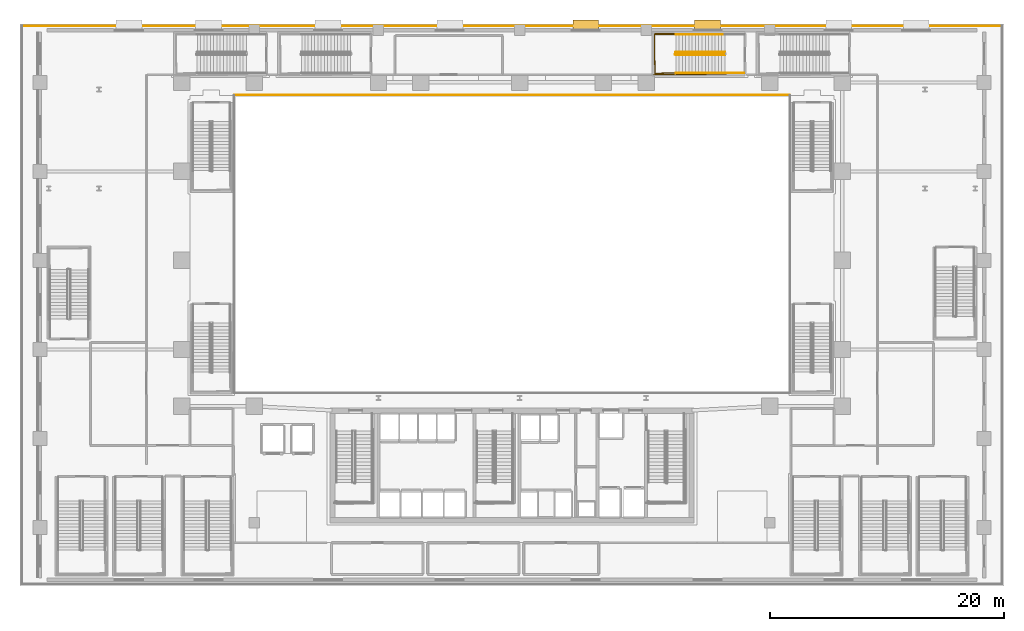
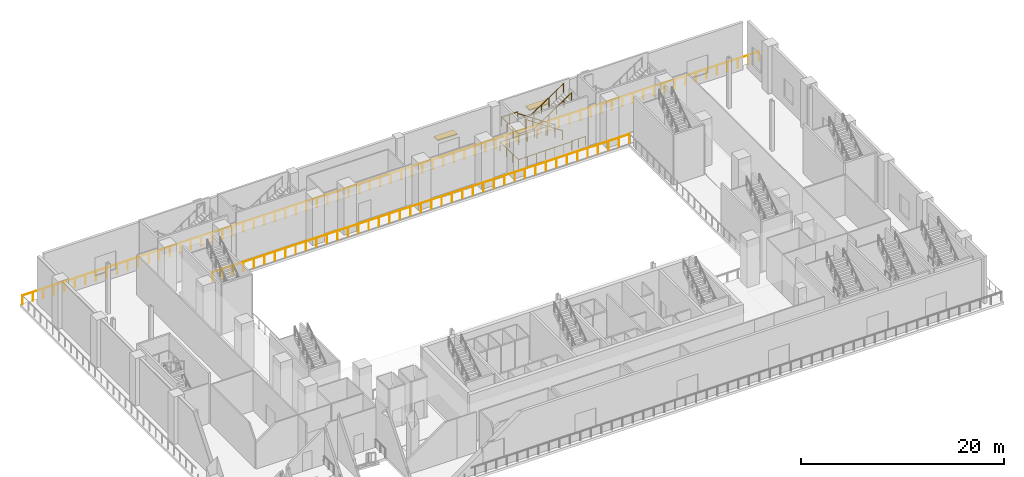
# One storey, part 23 of 29: 9 railings, 2 shading devices.
"""IFC4 building model written with IfcOpenShell, lengths in metres."""

from ifc_helpers import new_model, si_unit, direction, frame, origin, origin_2d, place, context, subcontext, project, spatial, rectangle, circle, extrude, material, layer, layer_set, type_object, element, save


model = new_model("IFC4")

# Units and contexts
model_context = context("Model", 3, precision=1e-05, world=origin(), true_north=direction((0.0, 1.0)))
body_context = subcontext(model_context, "Body", "Model", "MODEL_VIEW")
ifc_project = project(units=[si_unit("LENGTHUNIT", "METRE"), si_unit("AREAUNIT", "SQUARE_METRE"), si_unit("VOLUMEUNIT", "CUBIC_METRE"), si_unit("PLANEANGLEUNIT", "RADIAN"), si_unit("MASSUNIT", "GRAM", prefix="KILO")], contexts=[model_context])

# Site, building, storey
site_placement = place(None, origin())
site = spatial("IfcSite", under=ifc_project, at=site_placement, CompositionType="ELEMENT")
building_placement = place(site_placement, origin())
building = spatial("IfcBuilding", under=site, at=building_placement, Name="Ndaravel Arena Tower", CompositionType="ELEMENT")
storey_placement = place(building_placement, frame((0.0, 0.0, 12.0)))
storey = spatial("IfcBuildingStorey", under=building, at=storey_placement, Name="L02", CompositionType="ELEMENT", Elevation=12.0)

# Railings
ifc_material_1 = material(Name="Steel S355", Category="steel")
ifc_layer_1 = layer(ifc_material_1, 0.06005859375)
ifc_layer_set_1 = layer_set([ifc_layer_1], Name="Steel S355")
railing_type_1 = type_object("IfcRailingType", Name="RAIL-STAIR-GD1100", PredefinedType="GUARDRAIL", material=ifc_layer_set_1)
railing_1_placement = place(storey_placement, frame((60.179931640625, 45.570068359375, 0.1875)))
element("IfcRailing", 1, at=railing_1_placement, inside=storey, type_object=railing_type_1, Name="L02 ST-A10 stair guard 1", PredefinedType="GUARDRAIL", context=body_context, shape_type="SweptSolid", body=[
    extrude(circle(Radius=0.02392578125, at=origin_2d()), frame((0.0, 0.0, 1.076171875), z_axis=(-0.830904186295, 0.0, 0.556415522067), x_axis=(0.0, -1.0, 0.0)), (0.0, 0.0, 1.0), 5.0546875),
    extrude(circle(Radius=0.02392578125, at=origin_2d()), frame((-4.199951171875, 0.0, 3.888671875), z_axis=(-0.25449329928, -0.967074537263, 0.0), x_axis=(0.967074537263, -0.25449329928, 0.0)), (0.0, 0.0, 1.0), 0.19677734375),
    extrude(circle(Radius=0.02099609375, at=origin_2d()), origin(), (0.0, 0.0, 1.0), 1.052001953125),
    extrude(circle(Radius=0.02099609375, at=origin_2d()), frame((-0.840087890625, 0.0, 0.5625)), (0.0, 0.0, 1.0), 1.052001953125),
    extrude(circle(Radius=0.02099609375, at=origin_2d()), frame((-1.679931640625, 0.0, 1.125)), (0.0, 0.0, 1.0), 1.052001953125),
    extrude(circle(Radius=0.02099609375, at=origin_2d()), frame((-2.52001953125, 0.0, 1.6875)), (0.0, 0.0, 1.0), 1.052001953125),
    extrude(circle(Radius=0.02099609375, at=origin_2d()), frame((-3.35986328125, 0.0, 2.25)), (0.0, 0.0, 1.0), 1.052001953125),
    extrude(circle(Radius=0.02099609375, at=origin_2d()), frame((-4.199951171875, 0.0, 2.8125)), (0.0, 0.0, 1.0), 1.052001953125),
    extrude(circle(Radius=0.02099609375, at=origin_2d()), frame((-4.25, -0.190185546875, 2.8125)), (0.0, 0.0, 1.0), 1.052001953125),
])
railing_2_placement = place(storey_placement, frame((55.97998046875, 47.090087890625, 3.0)))
element("IfcRailing", 2, at=railing_2_placement, inside=storey, type_object=railing_type_1, Name="L02 ST-A10 stair guard 2", PredefinedType="GUARDRAIL", context=body_context, shape_type="SweptSolid", body=[
    extrude(circle(Radius=0.02392578125, at=origin_2d()), frame((0.0, 0.0, 1.076171875), z_axis=(-1.0, 0.0, 0.0), x_axis=(0.0, -1.0, 0.0)), (0.0, 0.0, 1.0), 1.830078125),
    extrude(circle(Radius=0.02392578125, at=origin_2d()), frame((-1.830078125, 0.0, 1.076171875), z_axis=(0.015027628384, -0.999887078817, 0.0), x_axis=(0.999887078817, 0.015027628384, 0.0)), (0.0, 0.0, 1.0), 3.33056640625),
    extrude(circle(Radius=0.02392578125, at=origin_2d()), frame((-1.780029296875, -3.330078125, 1.076171875), z_axis=(0.999604955407, 0.028105748986, 0.0), x_axis=(-0.028105748986, 0.999604955407, 0.0)), (0.0, 0.0, 1.0), 1.78076171875),
    extrude(circle(Radius=0.02099609375, at=origin_2d()), origin(), (0.0, 0.0, 1.0), 1.052001953125),
    extrude(circle(Radius=0.02099609375, at=origin_2d()), frame((-0.9150390625, 0.0, 0.0)), (0.0, 0.0, 1.0), 1.052001953125),
    extrude(circle(Radius=0.02099609375, at=origin_2d()), frame((-1.830078125, 0.0, 0.0)), (0.0, 0.0, 1.0), 1.052001953125),
    extrude(circle(Radius=0.02099609375, at=origin_2d()), frame((-1.8134765625, -1.110107421875, 0.0)), (0.0, 0.0, 1.0), 1.052001953125),
    extrude(circle(Radius=0.02099609375, at=origin_2d()), frame((-1.796630859375, -2.219970703125, 0.0)), (0.0, 0.0, 1.0), 1.052001953125),
    extrude(circle(Radius=0.02099609375, at=origin_2d()), frame((-1.780029296875, -3.330078125, 0.0)), (0.0, 0.0, 1.0), 1.052001953125),
    extrude(circle(Radius=0.02099609375, at=origin_2d()), frame((-0.89013671875, -3.30517578125, 0.0)), (0.0, 0.0, 1.0), 1.052001953125),
    extrude(circle(Radius=0.02099609375, at=origin_2d()), frame((0.0, -3.280029296875, 0.0)), (0.0, 0.0, 1.0), 1.052001953125),
])
railing_3_placement = place(storey_placement, frame((55.97998046875, 45.330078125, 3.1875)))
element("IfcRailing", 3, at=railing_3_placement, inside=storey, type_object=railing_type_1, Name="L02 ST-A10 stair guard 3", PredefinedType="GUARDRAIL", context=body_context, shape_type="SweptSolid", body=[
    extrude(circle(Radius=0.02392578125, at=origin_2d()), frame((0.0, 0.0, 1.076171875), z_axis=(0.830904186295, 0.0, 0.556415522067), x_axis=(0.0, 1.0, 0.0)), (0.0, 0.0, 1.0), 5.0546875),
    extrude(circle(Radius=0.02099609375, at=origin_2d()), origin(), (0.0, 0.0, 1.0), 1.052001953125),
    extrude(circle(Radius=0.02099609375, at=origin_2d()), frame((0.840087890625, 0.0, 0.5625)), (0.0, 0.0, 1.0), 1.052001953125),
    extrude(circle(Radius=0.02099609375, at=origin_2d()), frame((1.679931640625, 0.0, 1.125)), (0.0, 0.0, 1.0), 1.052001953125),
    extrude(circle(Radius=0.02099609375, at=origin_2d()), frame((2.52001953125, 0.0, 1.6875)), (0.0, 0.0, 1.0), 1.052001953125),
    extrude(circle(Radius=0.02099609375, at=origin_2d()), frame((3.35986328125, 0.0, 2.25)), (0.0, 0.0, 1.0), 1.052001953125),
    extrude(circle(Radius=0.02099609375, at=origin_2d()), frame((4.199951171875, 0.0, 2.8125)), (0.0, 0.0, 1.0), 1.052001953125),
])
railing_4_placement = place(storey_placement, frame((61.800048828125, 43.81005859375, 0.0)))
element("IfcRailing", 4, at=railing_4_placement, inside=storey, type_object=railing_type_1, Name="L02 ST-A10 stair guard 6", PredefinedType="GUARDRAIL", context=body_context, shape_type="SweptSolid", body=[
    extrude(circle(Radius=0.02392578125, at=origin_2d()), frame((0.0, 0.0, 1.076171875), z_axis=(-1.0, 0.0, 0.0), x_axis=(0.0, -1.0, 0.0)), (0.0, 0.0, 1.0), 1.6201171875),
    extrude(circle(Radius=0.02099609375, at=origin_2d()), origin(), (0.0, 0.0, 1.0), 1.052001953125),
    extrude(circle(Radius=0.02099609375, at=origin_2d()), frame((-0.81005859375, 0.0, 0.0)), (0.0, 0.0, 1.0), 1.052001953125),
    extrude(circle(Radius=0.02099609375, at=origin_2d()), frame((-1.6201171875, 0.0, 0.0)), (0.0, 0.0, 1.0), 1.052001953125),
])
railing_5_placement = place(storey_placement, frame((60.280029296875, 47.18994140625, 0.0)))
element("IfcRailing", 5, at=railing_5_placement, inside=storey, type_object=railing_type_1, Name="L02 ST-A10 stair guard 7", PredefinedType="GUARDRAIL", context=body_context, shape_type="SweptSolid", body=[
    extrude(circle(Radius=0.02392578125, at=origin_2d()), frame((0.0, 0.0, 1.076171875), z_axis=(-1.0, 0.0, 0.0), x_axis=(0.0, -1.0, 0.0)), (0.0, 0.0, 1.0), 6.22998046875),
    extrude(circle(Radius=0.02392578125, at=origin_2d()), frame((-6.22998046875, 0.0, 1.076171875), z_axis=(0.014176595818, -0.999899507016, 0.0), x_axis=(0.999899507016, 0.014176595818, 0.0)), (0.0, 0.0, 1.0), 3.5302734375),
    extrude(circle(Radius=0.02392578125, at=origin_2d()), frame((-6.179931640625, -3.530029296875, 1.076171875), z_axis=(0.999967207908, 0.008098339889, 0.0), x_axis=(-0.008098339889, 0.999967207908, 0.0)), (0.0, 0.0, 1.0), 6.18017578125),
    extrude(circle(Radius=0.02099609375, at=origin_2d()), origin(), (0.0, 0.0, 1.0), 1.052001953125),
    extrude(circle(Radius=0.02099609375, at=origin_2d()), frame((-1.038330078125, 0.0, 0.0)), (0.0, 0.0, 1.0), 1.052001953125),
    extrude(circle(Radius=0.02099609375, at=origin_2d()), frame((-2.07666015625, 0.0, 0.0)), (0.0, 0.0, 1.0), 1.052001953125),
    extrude(circle(Radius=0.02099609375, at=origin_2d()), frame((-3.114990234375, 0.0, 0.0)), (0.0, 0.0, 1.0), 1.052001953125),
    extrude(circle(Radius=0.02099609375, at=origin_2d()), frame((-4.1533203125, 0.0, 0.0)), (0.0, 0.0, 1.0), 1.052001953125),
    extrude(circle(Radius=0.02099609375, at=origin_2d()), frame((-5.191650390625, 0.0, 0.0)), (0.0, 0.0, 1.0), 1.052001953125),
    extrude(circle(Radius=0.02099609375, at=origin_2d()), frame((-6.22998046875, 0.0, 0.0)), (0.0, 0.0, 1.0), 1.052001953125),
    extrude(circle(Radius=0.02099609375, at=origin_2d()), frame((-6.21337890625, -1.1767578125, 0.0)), (0.0, 0.0, 1.0), 1.052001953125),
    extrude(circle(Radius=0.02099609375, at=origin_2d()), frame((-6.196533203125, -2.353271484375, 0.0)), (0.0, 0.0, 1.0), 1.052001953125),
    extrude(circle(Radius=0.02099609375, at=origin_2d()), frame((-6.179931640625, -3.530029296875, 0.0)), (0.0, 0.0, 1.0), 1.052001953125),
    extrude(circle(Radius=0.02099609375, at=origin_2d()), frame((-5.14990234375, -3.521728515625, 0.0)), (0.0, 0.0, 1.0), 1.052001953125),
    extrude(circle(Radius=0.02099609375, at=origin_2d()), frame((-4.119873046875, -3.513427734375, 0.0)), (0.0, 0.0, 1.0), 1.052001953125),
    extrude(circle(Radius=0.02099609375, at=origin_2d()), frame((-3.08984375, -3.5048828125, 0.0)), (0.0, 0.0, 1.0), 1.052001953125),
    extrude(circle(Radius=0.02099609375, at=origin_2d()), frame((-2.06005859375, -3.49658203125, 0.0)), (0.0, 0.0, 1.0), 1.052001953125),
    extrude(circle(Radius=0.02099609375, at=origin_2d()), frame((-1.030029296875, -3.48828125, 0.0)), (0.0, 0.0, 1.0), 1.052001953125),
    extrude(circle(Radius=0.02099609375, at=origin_2d()), frame((0.0, -3.47998046875, 0.0)), (0.0, 0.0, 1.0), 1.052001953125),
])
ifc_material_2 = material(Name="Steel S355", Category="steel")
ifc_layer_2 = layer(ifc_material_2, 0.050048828125)
ifc_layer_set_2 = layer_set([ifc_layer_2], Name="Steel S355")
railing_type_2 = type_object("IfcRailingType", Name="RAIL-STAIR-HR920", PredefinedType="HANDRAIL", material=ifc_layer_set_2)
railing_6_placement = place(storey_placement, frame((60.179931640625, 47.090087890625, 0.1875)))
element("IfcRailing", 6, at=railing_6_placement, inside=storey, type_object=railing_type_2, Name="L02 ST-A10 stair handrail 1", PredefinedType="HANDRAIL", context=body_context, shape_type="SweptSolid", body=[
    extrude(circle(Radius=0.02392578125, at=origin_2d()), frame((0.0, 0.0, 0.8759765625), z_axis=(-0.830904186295, 0.0, 0.556415522067), x_axis=(0.0, -1.0, 0.0)), (0.0, 0.0, 1.0), 5.0546875),
    extrude(circle(Radius=0.02099609375, at=origin_2d()), origin(), (0.0, 0.0, 1.0), 0.851806640625),
    extrude(circle(Radius=0.02099609375, at=origin_2d()), frame((-0.840087890625, 0.0, 0.5625)), (0.0, 0.0, 1.0), 0.851806640625),
    extrude(circle(Radius=0.02099609375, at=origin_2d()), frame((-1.679931640625, 0.0, 1.125)), (0.0, 0.0, 1.0), 0.851806640625),
    extrude(circle(Radius=0.02099609375, at=origin_2d()), frame((-2.52001953125, 0.0, 1.6875)), (0.0, 0.0, 1.0), 0.851806640625),
    extrude(circle(Radius=0.02099609375, at=origin_2d()), frame((-3.35986328125, 0.0, 2.25)), (0.0, 0.0, 1.0), 0.851806640625),
    extrude(circle(Radius=0.02099609375, at=origin_2d()), frame((-4.199951171875, 0.0, 2.8125)), (0.0, 0.0, 1.0), 0.851806640625),
])
railing_7_placement = place(storey_placement, frame((55.97998046875, 43.81005859375, 3.1875)))
element("IfcRailing", 7, at=railing_7_placement, inside=storey, type_object=railing_type_2, Name="L02 ST-A10 stair handrail 2", PredefinedType="HANDRAIL", context=body_context, shape_type="SweptSolid", body=[
    extrude(circle(Radius=0.02392578125, at=origin_2d()), frame((0.0, 0.0, 0.8759765625), z_axis=(0.830904186295, 0.0, 0.556415522067), x_axis=(0.0, 1.0, 0.0)), (0.0, 0.0, 1.0), 5.0546875),
    extrude(circle(Radius=0.02099609375, at=origin_2d()), origin(), (0.0, 0.0, 1.0), 0.851806640625),
    extrude(circle(Radius=0.02099609375, at=origin_2d()), frame((0.840087890625, 0.0, 0.5625)), (0.0, 0.0, 1.0), 0.851806640625),
    extrude(circle(Radius=0.02099609375, at=origin_2d()), frame((1.679931640625, 0.0, 1.125)), (0.0, 0.0, 1.0), 0.851806640625),
    extrude(circle(Radius=0.02099609375, at=origin_2d()), frame((2.52001953125, 0.0, 1.6875)), (0.0, 0.0, 1.0), 0.851806640625),
    extrude(circle(Radius=0.02099609375, at=origin_2d()), frame((3.35986328125, 0.0, 2.25)), (0.0, 0.0, 1.0), 0.851806640625),
    extrude(circle(Radius=0.02099609375, at=origin_2d()), frame((4.199951171875, 0.0, 2.8125)), (0.0, 0.0, 1.0), 0.851806640625),
])
ifc_material_3 = material(Name="Glazing", Category="glass")
ifc_layer_3 = layer(ifc_material_3, 0.070068359375)
ifc_layer_set_3 = layer_set([ifc_layer_3], Name="Glazing")
railing_type_3 = type_object("IfcRailingType", Name="RAIL-TERRACE-1150", PredefinedType="BALUSTRADE", material=ifc_layer_set_3)
railing_8_placement = place(storey_placement, frame((83.820068359375, 47.820068359375, 0.0)))
element("IfcRailing", 8, at=railing_8_placement, inside=storey, type_object=railing_type_3, Name="L02 Podium Perimeter Edge Guard 3", PredefinedType="BALUSTRADE", context=body_context, shape_type="SweptSolid", body=[
    extrude(circle(Radius=0.02392578125, at=origin_2d()), frame((0.0, 0.0, 1.1259765625), z_axis=(-1.0, 0.0, 0.0), x_axis=(0.0, -1.0, 0.0)), (0.0, 0.0, 1.0), 83.64013671875),
    extrude(circle(Radius=0.02099609375, at=origin_2d()), origin(), (0.0, 0.0, 1.0), 1.101806640625),
    extrude(circle(Radius=0.02099609375, at=origin_2d()), frame((-1.19482421875, 0.0, 0.0)), (0.0, 0.0, 1.0), 1.101806640625),
    extrude(circle(Radius=0.02099609375, at=origin_2d()), frame((-2.3896484375, 0.0, 0.0)), (0.0, 0.0, 1.0), 1.101806640625),
    extrude(circle(Radius=0.02099609375, at=origin_2d()), frame((-3.58447265625, 0.0, 0.0)), (0.0, 0.0, 1.0), 1.101806640625),
    extrude(circle(Radius=0.02099609375, at=origin_2d()), frame((-4.779541015625, 0.0, 0.0)), (0.0, 0.0, 1.0), 1.101806640625),
    extrude(circle(Radius=0.02099609375, at=origin_2d()), frame((-5.974365234375, 0.0, 0.0)), (0.0, 0.0, 1.0), 1.101806640625),
    extrude(circle(Radius=0.02099609375, at=origin_2d()), frame((-7.169189453125, 0.0, 0.0)), (0.0, 0.0, 1.0), 1.101806640625),
    extrude(circle(Radius=0.02099609375, at=origin_2d()), frame((-8.364013671875, 0.0, 0.0)), (0.0, 0.0, 1.0), 1.101806640625),
    extrude(circle(Radius=0.02099609375, at=origin_2d()), frame((-9.558837890625, 0.0, 0.0)), (0.0, 0.0, 1.0), 1.101806640625),
    extrude(circle(Radius=0.02099609375, at=origin_2d()), frame((-10.753662109375, 0.0, 0.0)), (0.0, 0.0, 1.0), 1.101806640625),
    extrude(circle(Radius=0.02099609375, at=origin_2d()), frame((-11.948486328125, 0.0, 0.0)), (0.0, 0.0, 1.0), 1.101806640625),
    extrude(circle(Radius=0.02099609375, at=origin_2d()), frame((-13.1435546875, 0.0, 0.0)), (0.0, 0.0, 1.0), 1.101806640625),
    extrude(circle(Radius=0.02099609375, at=origin_2d()), frame((-14.33837890625, 0.0, 0.0)), (0.0, 0.0, 1.0), 1.101806640625),
    extrude(circle(Radius=0.02099609375, at=origin_2d()), frame((-15.533203125, 0.0, 0.0)), (0.0, 0.0, 1.0), 1.101806640625),
    extrude(circle(Radius=0.02099609375, at=origin_2d()), frame((-16.72802734375, 0.0, 0.0)), (0.0, 0.0, 1.0), 1.101806640625),
    extrude(circle(Radius=0.02099609375, at=origin_2d()), frame((-17.9228515625, 0.0, 0.0)), (0.0, 0.0, 1.0), 1.101806640625),
    extrude(circle(Radius=0.02099609375, at=origin_2d()), frame((-19.11767578125, 0.0, 0.0)), (0.0, 0.0, 1.0), 1.101806640625),
    extrude(circle(Radius=0.02099609375, at=origin_2d()), frame((-20.3125, 0.0, 0.0)), (0.0, 0.0, 1.0), 1.101806640625),
    extrude(circle(Radius=0.02099609375, at=origin_2d()), frame((-21.507568359375, 0.0, 0.0)), (0.0, 0.0, 1.0), 1.101806640625),
    extrude(circle(Radius=0.02099609375, at=origin_2d()), frame((-22.702392578125, 0.0, 0.0)), (0.0, 0.0, 1.0), 1.101806640625),
    extrude(circle(Radius=0.02099609375, at=origin_2d()), frame((-23.897216796875, 0.0, 0.0)), (0.0, 0.0, 1.0), 1.101806640625),
    extrude(circle(Radius=0.02099609375, at=origin_2d()), frame((-25.092041015625, 0.0, 0.0)), (0.0, 0.0, 1.0), 1.101806640625),
    extrude(circle(Radius=0.02099609375, at=origin_2d()), frame((-26.286865234375, 0.0, 0.0)), (0.0, 0.0, 1.0), 1.101806640625),
    extrude(circle(Radius=0.02099609375, at=origin_2d()), frame((-27.481689453125, 0.0, 0.0)), (0.0, 0.0, 1.0), 1.101806640625),
    extrude(circle(Radius=0.02099609375, at=origin_2d()), frame((-28.676513671875, 0.0, 0.0)), (0.0, 0.0, 1.0), 1.101806640625),
    extrude(circle(Radius=0.02099609375, at=origin_2d()), frame((-29.87158203125, 0.0, 0.0)), (0.0, 0.0, 1.0), 1.101806640625),
    extrude(circle(Radius=0.02099609375, at=origin_2d()), frame((-31.06640625, 0.0, 0.0)), (0.0, 0.0, 1.0), 1.101806640625),
    extrude(circle(Radius=0.02099609375, at=origin_2d()), frame((-32.26123046875, 0.0, 0.0)), (0.0, 0.0, 1.0), 1.101806640625),
    extrude(circle(Radius=0.02099609375, at=origin_2d()), frame((-33.4560546875, 0.0, 0.0)), (0.0, 0.0, 1.0), 1.101806640625),
    extrude(circle(Radius=0.02099609375, at=origin_2d()), frame((-34.65087890625, 0.0, 0.0)), (0.0, 0.0, 1.0), 1.101806640625),
    extrude(circle(Radius=0.02099609375, at=origin_2d()), frame((-35.845703125, 0.0, 0.0)), (0.0, 0.0, 1.0), 1.101806640625),
    extrude(circle(Radius=0.02099609375, at=origin_2d()), frame((-37.04052734375, 0.0, 0.0)), (0.0, 0.0, 1.0), 1.101806640625),
    extrude(circle(Radius=0.02099609375, at=origin_2d()), frame((-38.235595703125, 0.0, 0.0)), (0.0, 0.0, 1.0), 1.101806640625),
    extrude(circle(Radius=0.02099609375, at=origin_2d()), frame((-39.430419921875, 0.0, 0.0)), (0.0, 0.0, 1.0), 1.101806640625),
    extrude(circle(Radius=0.02099609375, at=origin_2d()), frame((-40.625244140625, 0.0, 0.0)), (0.0, 0.0, 1.0), 1.101806640625),
    extrude(circle(Radius=0.02099609375, at=origin_2d()), frame((-41.820068359375, 0.0, 0.0)), (0.0, 0.0, 1.0), 1.101806640625),
    extrude(circle(Radius=0.02099609375, at=origin_2d()), frame((-43.014892578125, 0.0, 0.0)), (0.0, 0.0, 1.0), 1.101806640625),
    extrude(circle(Radius=0.02099609375, at=origin_2d()), frame((-44.209716796875, 0.0, 0.0)), (0.0, 0.0, 1.0), 1.101806640625),
    extrude(circle(Radius=0.02099609375, at=origin_2d()), frame((-45.404541015625, 0.0, 0.0)), (0.0, 0.0, 1.0), 1.101806640625),
    extrude(circle(Radius=0.02099609375, at=origin_2d()), frame((-46.599609375, 0.0, 0.0)), (0.0, 0.0, 1.0), 1.101806640625),
    extrude(circle(Radius=0.02099609375, at=origin_2d()), frame((-47.79443359375, 0.0, 0.0)), (0.0, 0.0, 1.0), 1.101806640625),
    extrude(circle(Radius=0.02099609375, at=origin_2d()), frame((-48.9892578125, 0.0, 0.0)), (0.0, 0.0, 1.0), 1.101806640625),
    extrude(circle(Radius=0.02099609375, at=origin_2d()), frame((-50.18408203125, 0.0, 0.0)), (0.0, 0.0, 1.0), 1.101806640625),
    extrude(circle(Radius=0.02099609375, at=origin_2d()), frame((-51.37890625, 0.0, 0.0)), (0.0, 0.0, 1.0), 1.101806640625),
    extrude(circle(Radius=0.02099609375, at=origin_2d()), frame((-52.57373046875, 0.0, 0.0)), (0.0, 0.0, 1.0), 1.101806640625),
    extrude(circle(Radius=0.02099609375, at=origin_2d()), frame((-53.7685546875, 0.0, 0.0)), (0.0, 0.0, 1.0), 1.101806640625),
    extrude(circle(Radius=0.02099609375, at=origin_2d()), frame((-54.963623046875, 0.0, 0.0)), (0.0, 0.0, 1.0), 1.101806640625),
    extrude(circle(Radius=0.02099609375, at=origin_2d()), frame((-56.158447265625, 0.0, 0.0)), (0.0, 0.0, 1.0), 1.101806640625),
    extrude(circle(Radius=0.02099609375, at=origin_2d()), frame((-57.353271484375, 0.0, 0.0)), (0.0, 0.0, 1.0), 1.101806640625),
    extrude(circle(Radius=0.02099609375, at=origin_2d()), frame((-58.548095703125, 0.0, 0.0)), (0.0, 0.0, 1.0), 1.101806640625),
    extrude(circle(Radius=0.02099609375, at=origin_2d()), frame((-59.742919921875, 0.0, 0.0)), (0.0, 0.0, 1.0), 1.101806640625),
    extrude(circle(Radius=0.02099609375, at=origin_2d()), frame((-60.937744140625, 0.0, 0.0)), (0.0, 0.0, 1.0), 1.101806640625),
    extrude(circle(Radius=0.02099609375, at=origin_2d()), frame((-62.132568359375, 0.0, 0.0)), (0.0, 0.0, 1.0), 1.101806640625),
    extrude(circle(Radius=0.02099609375, at=origin_2d()), frame((-63.32763671875, 0.0, 0.0)), (0.0, 0.0, 1.0), 1.101806640625),
    extrude(circle(Radius=0.02099609375, at=origin_2d()), frame((-64.5224609375, 0.0, 0.0)), (0.0, 0.0, 1.0), 1.101806640625),
    extrude(circle(Radius=0.02099609375, at=origin_2d()), frame((-65.71728515625, 0.0, 0.0)), (0.0, 0.0, 1.0), 1.101806640625),
    extrude(circle(Radius=0.02099609375, at=origin_2d()), frame((-66.912109375, 0.0, 0.0)), (0.0, 0.0, 1.0), 1.101806640625),
    extrude(circle(Radius=0.02099609375, at=origin_2d()), frame((-68.10693359375, 0.0, 0.0)), (0.0, 0.0, 1.0), 1.101806640625),
    extrude(circle(Radius=0.02099609375, at=origin_2d()), frame((-69.3017578125, 0.0, 0.0)), (0.0, 0.0, 1.0), 1.101806640625),
    extrude(circle(Radius=0.02099609375, at=origin_2d()), frame((-70.49658203125, 0.0, 0.0)), (0.0, 0.0, 1.0), 1.101806640625),
    extrude(circle(Radius=0.02099609375, at=origin_2d()), frame((-71.691650390625, 0.0, 0.0)), (0.0, 0.0, 1.0), 1.101806640625),
    extrude(circle(Radius=0.02099609375, at=origin_2d()), frame((-72.886474609375, 0.0, 0.0)), (0.0, 0.0, 1.0), 1.101806640625),
    extrude(circle(Radius=0.02099609375, at=origin_2d()), frame((-74.081298828125, 0.0, 0.0)), (0.0, 0.0, 1.0), 1.101806640625),
    extrude(circle(Radius=0.02099609375, at=origin_2d()), frame((-75.276123046875, 0.0, 0.0)), (0.0, 0.0, 1.0), 1.101806640625),
    extrude(circle(Radius=0.02099609375, at=origin_2d()), frame((-76.470947265625, 0.0, 0.0)), (0.0, 0.0, 1.0), 1.101806640625),
    extrude(circle(Radius=0.02099609375, at=origin_2d()), frame((-77.665771484375, 0.0, 0.0)), (0.0, 0.0, 1.0), 1.101806640625),
    extrude(circle(Radius=0.02099609375, at=origin_2d()), frame((-78.860595703125, 0.0, 0.0)), (0.0, 0.0, 1.0), 1.101806640625),
    extrude(circle(Radius=0.02099609375, at=origin_2d()), frame((-80.0556640625, 0.0, 0.0)), (0.0, 0.0, 1.0), 1.101806640625),
    extrude(circle(Radius=0.02099609375, at=origin_2d()), frame((-81.25048828125, 0.0, 0.0)), (0.0, 0.0, 1.0), 1.101806640625),
    extrude(circle(Radius=0.02099609375, at=origin_2d()), frame((-82.4453125, 0.0, 0.0)), (0.0, 0.0, 1.0), 1.101806640625),
    extrude(circle(Radius=0.02099609375, at=origin_2d()), frame((-83.64013671875, 0.0, 0.0)), (0.0, 0.0, 1.0), 1.101806640625),
])
railing_9_placement = place(storey_placement, frame((65.679931640625, 41.919921875, 0.0)))
element("IfcRailing", 9, at=railing_9_placement, inside=storey, type_object=railing_type_3, Name="L02 Arena Bowl Concourse N Balustrade", PredefinedType="BALUSTRADE", context=body_context, shape_type="SweptSolid", body=[
    extrude(circle(Radius=0.02392578125, at=origin_2d()), frame((0.0, 0.0, 1.1259765625), z_axis=(-1.0, 0.0, 0.0), x_axis=(0.0, -1.0, 0.0)), (0.0, 0.0, 1.0), 47.35986328125),
    extrude(circle(Radius=0.02099609375, at=origin_2d()), origin(), (0.0, 0.0, 1.0), 1.101806640625),
    extrude(circle(Radius=0.02099609375, at=origin_2d()), frame((-1.18408203125, 0.0, 0.0)), (0.0, 0.0, 1.0), 1.101806640625),
    extrude(circle(Radius=0.02099609375, at=origin_2d()), frame((-2.367919921875, 0.0, 0.0)), (0.0, 0.0, 1.0), 1.101806640625),
    extrude(circle(Radius=0.02099609375, at=origin_2d()), frame((-3.552001953125, 0.0, 0.0)), (0.0, 0.0, 1.0), 1.101806640625),
    extrude(circle(Radius=0.02099609375, at=origin_2d()), frame((-4.736083984375, 0.0, 0.0)), (0.0, 0.0, 1.0), 1.101806640625),
    extrude(circle(Radius=0.02099609375, at=origin_2d()), frame((-5.919921875, 0.0, 0.0)), (0.0, 0.0, 1.0), 1.101806640625),
    extrude(circle(Radius=0.02099609375, at=origin_2d()), frame((-7.10400390625, 0.0, 0.0)), (0.0, 0.0, 1.0), 1.101806640625),
    extrude(circle(Radius=0.02099609375, at=origin_2d()), frame((-8.2880859375, 0.0, 0.0)), (0.0, 0.0, 1.0), 1.101806640625),
    extrude(circle(Radius=0.02099609375, at=origin_2d()), frame((-9.471923828125, 0.0, 0.0)), (0.0, 0.0, 1.0), 1.101806640625),
    extrude(circle(Radius=0.02099609375, at=origin_2d()), frame((-10.656005859375, 0.0, 0.0)), (0.0, 0.0, 1.0), 1.101806640625),
    extrude(circle(Radius=0.02099609375, at=origin_2d()), frame((-11.83984375, 0.0, 0.0)), (0.0, 0.0, 1.0), 1.101806640625),
    extrude(circle(Radius=0.02099609375, at=origin_2d()), frame((-13.02392578125, 0.0, 0.0)), (0.0, 0.0, 1.0), 1.101806640625),
    extrude(circle(Radius=0.02099609375, at=origin_2d()), frame((-14.2080078125, 0.0, 0.0)), (0.0, 0.0, 1.0), 1.101806640625),
    extrude(circle(Radius=0.02099609375, at=origin_2d()), frame((-15.391845703125, 0.0, 0.0)), (0.0, 0.0, 1.0), 1.101806640625),
    extrude(circle(Radius=0.02099609375, at=origin_2d()), frame((-16.575927734375, 0.0, 0.0)), (0.0, 0.0, 1.0), 1.101806640625),
    extrude(circle(Radius=0.02099609375, at=origin_2d()), frame((-17.760009765625, 0.0, 0.0)), (0.0, 0.0, 1.0), 1.101806640625),
    extrude(circle(Radius=0.02099609375, at=origin_2d()), frame((-18.94384765625, 0.0, 0.0)), (0.0, 0.0, 1.0), 1.101806640625),
    extrude(circle(Radius=0.02099609375, at=origin_2d()), frame((-20.1279296875, 0.0, 0.0)), (0.0, 0.0, 1.0), 1.101806640625),
    extrude(circle(Radius=0.02099609375, at=origin_2d()), frame((-21.31201171875, 0.0, 0.0)), (0.0, 0.0, 1.0), 1.101806640625),
    extrude(circle(Radius=0.02099609375, at=origin_2d()), frame((-22.495849609375, 0.0, 0.0)), (0.0, 0.0, 1.0), 1.101806640625),
    extrude(circle(Radius=0.02099609375, at=origin_2d()), frame((-23.679931640625, 0.0, 0.0)), (0.0, 0.0, 1.0), 1.101806640625),
    extrude(circle(Radius=0.02099609375, at=origin_2d()), frame((-24.864013671875, 0.0, 0.0)), (0.0, 0.0, 1.0), 1.101806640625),
    extrude(circle(Radius=0.02099609375, at=origin_2d()), frame((-26.0478515625, 0.0, 0.0)), (0.0, 0.0, 1.0), 1.101806640625),
    extrude(circle(Radius=0.02099609375, at=origin_2d()), frame((-27.23193359375, 0.0, 0.0)), (0.0, 0.0, 1.0), 1.101806640625),
    extrude(circle(Radius=0.02099609375, at=origin_2d()), frame((-28.416015625, 0.0, 0.0)), (0.0, 0.0, 1.0), 1.101806640625),
    extrude(circle(Radius=0.02099609375, at=origin_2d()), frame((-29.599853515625, 0.0, 0.0)), (0.0, 0.0, 1.0), 1.101806640625),
    extrude(circle(Radius=0.02099609375, at=origin_2d()), frame((-30.783935546875, 0.0, 0.0)), (0.0, 0.0, 1.0), 1.101806640625),
    extrude(circle(Radius=0.02099609375, at=origin_2d()), frame((-31.968017578125, 0.0, 0.0)), (0.0, 0.0, 1.0), 1.101806640625),
    extrude(circle(Radius=0.02099609375, at=origin_2d()), frame((-33.15185546875, 0.0, 0.0)), (0.0, 0.0, 1.0), 1.101806640625),
    extrude(circle(Radius=0.02099609375, at=origin_2d()), frame((-34.3359375, 0.0, 0.0)), (0.0, 0.0, 1.0), 1.101806640625),
    extrude(circle(Radius=0.02099609375, at=origin_2d()), frame((-35.52001953125, 0.0, 0.0)), (0.0, 0.0, 1.0), 1.101806640625),
    extrude(circle(Radius=0.02099609375, at=origin_2d()), frame((-36.703857421875, 0.0, 0.0)), (0.0, 0.0, 1.0), 1.101806640625),
    extrude(circle(Radius=0.02099609375, at=origin_2d()), frame((-37.887939453125, 0.0, 0.0)), (0.0, 0.0, 1.0), 1.101806640625),
    extrude(circle(Radius=0.02099609375, at=origin_2d()), frame((-39.07177734375, 0.0, 0.0)), (0.0, 0.0, 1.0), 1.101806640625),
    extrude(circle(Radius=0.02099609375, at=origin_2d()), frame((-40.255859375, 0.0, 0.0)), (0.0, 0.0, 1.0), 1.101806640625),
    extrude(circle(Radius=0.02099609375, at=origin_2d()), frame((-41.43994140625, 0.0, 0.0)), (0.0, 0.0, 1.0), 1.101806640625),
    extrude(circle(Radius=0.02099609375, at=origin_2d()), frame((-42.623779296875, 0.0, 0.0)), (0.0, 0.0, 1.0), 1.101806640625),
    extrude(circle(Radius=0.02099609375, at=origin_2d()), frame((-43.807861328125, 0.0, 0.0)), (0.0, 0.0, 1.0), 1.101806640625),
    extrude(circle(Radius=0.02099609375, at=origin_2d()), frame((-44.991943359375, 0.0, 0.0)), (0.0, 0.0, 1.0), 1.101806640625),
    extrude(circle(Radius=0.02099609375, at=origin_2d()), frame((-46.17578125, 0.0, 0.0)), (0.0, 0.0, 1.0), 1.101806640625),
    extrude(circle(Radius=0.02099609375, at=origin_2d()), frame((-47.35986328125, 0.0, 0.0)), (0.0, 0.0, 1.0), 1.101806640625),
])

# Shading devices
ifc_material_4 = material(Name="Aluminium", Category="aluminium")
shading_device_type = type_object("IfcShadingDeviceType", Name="SHD-POD-BRISE", PredefinedType="AWNING", material=ifc_material_4)
for number, where, z_axis, x_axis, name in (
    (10, (48.300048828125, 47.949951171875, 3.330078125), (0.0, 0.0, 1.0), (1.0, 0.0, 0.0), "L02 North Brise-Soleil 05"),
    (11, (58.699951171875, 47.949951171875, 3.330078125), (0.0, 0.0, 1.0), (1.0, 0.0, 0.0), "L02 North Brise-Soleil 06"),
):
    element("IfcShadingDevice", number, at=place(storey_placement, frame(where, z_axis=z_axis, x_axis=x_axis)), inside=storey, type_object=shading_device_type, Name=name, PredefinedType="AWNING", context=body_context, shape_type="SweptSolid", body=[
        extrude(rectangle(XDim=2.199951171875, YDim=0.75, at=origin_2d()), origin(), (0.0, 0.0, 1.0), 0.139892578125),
    ])

save(model, "model.ifc")
